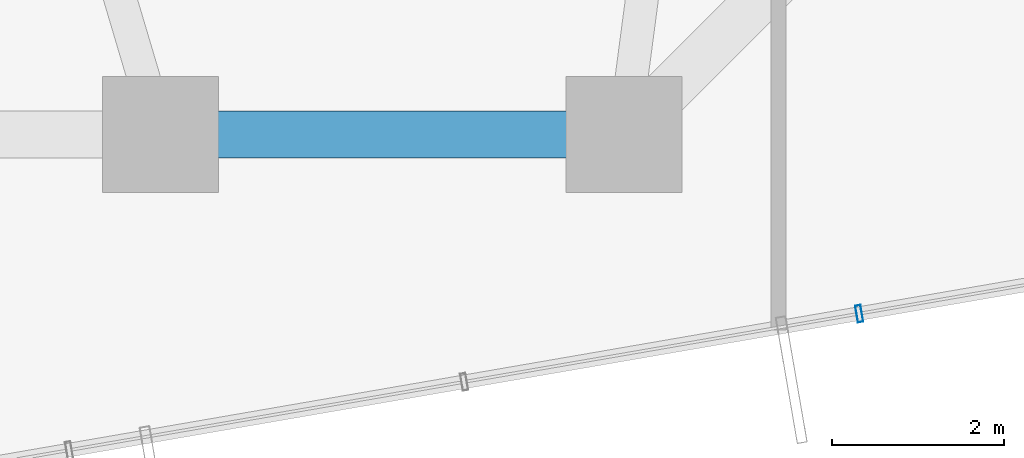
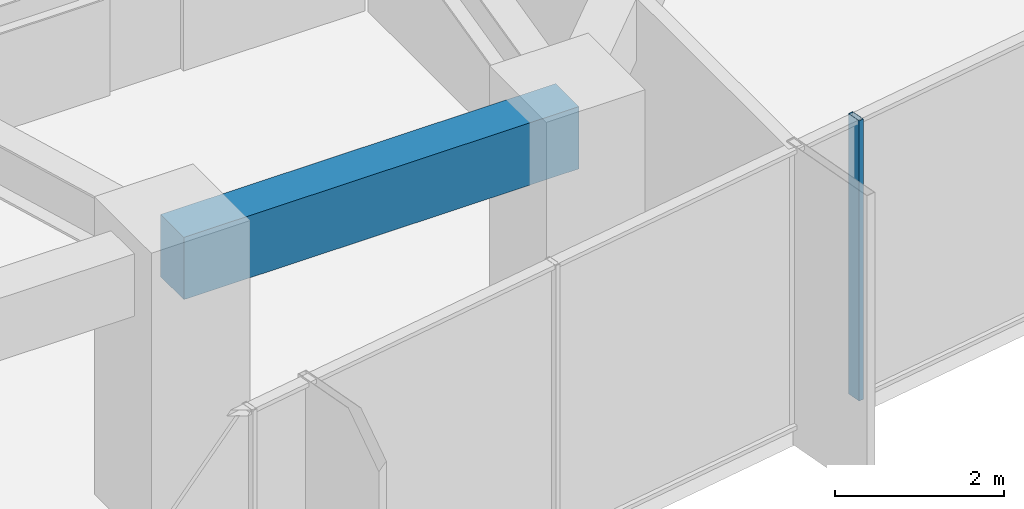
# One storey, part 8 of 35: 1 beam, 1 member, 1 element without a shape of its own.
"""IFC4 building model written with IfcOpenShell, lengths in metres."""

from ifc_helpers import new_model, si_unit, direction, frame, origin, origin_2d, place, context, subcontext, project, spatial, rectangle, hollow_rectangle, extrude, source, transform, mapped, material, layer, layer_set, material_profile, profile_set, type_object, element, aggregate, save


model = new_model("IFC4")

# Units and contexts
model_context = context("Model", 3, precision=1e-05, world=origin(), true_north=direction((0.0, 1.0)))
body_context = subcontext(model_context, "Body", "Model", "MODEL_VIEW")
ifc_project = project(units=[si_unit("LENGTHUNIT", "METRE"), si_unit("AREAUNIT", "SQUARE_METRE"), si_unit("VOLUMEUNIT", "CUBIC_METRE"), si_unit("PLANEANGLEUNIT", "RADIAN"), si_unit("MASSUNIT", "GRAM", prefix="KILO")], contexts=[model_context])

# Site, building, storey
site_placement = place(None, origin())
site = spatial("IfcSite", under=ifc_project, at=site_placement, CompositionType="ELEMENT")
building_placement = place(site_placement, origin())
building = spatial("IfcBuilding", under=site, at=building_placement, Name="Veraguas Prism Commons", CompositionType="ELEMENT")
storey_placement = place(building_placement, frame((0.0, 0.0, 56.550048828125)))
storey = spatial("IfcBuildingStorey", under=building, at=storey_placement, Name="L15", CompositionType="ELEMENT", Elevation=56.550048828125)

# Beam
ifc_material_1 = material(Name="Concrete C50/60", Category="concrete")
ifc_material_profile_1 = material_profile(ifc_material_1, rectangle(XDim=0.550048828125, YDim=0.89990234375, at=origin_2d()), Name="RC550X900")
ifc_profile_set_1 = profile_set([ifc_material_profile_1], Name="Concrete C50/60")
beam_type = type_object("IfcBeamType", Name="Perimeter Spandrel Lower RC 550x900", PredefinedType="SPANDREL", material=ifc_profile_set_1)
beam_placement = place(storey_placement, frame((24.0, 6.39990234375, 3.599853515625), z_axis=(1.0, 0.0, 0.0), x_axis=(0.0, 1.0, 0.0)))
element("IfcBeam", 1, at=beam_placement, inside=storey, type_object=beam_type, Name="Perimeter Spandrel Beam L15-SP11", PredefinedType="SPANDREL", context=body_context, shape_type="SweptSolid", body=[
    extrude(rectangle(XDim=0.550048828125, YDim=0.89990234375, at=origin_2d()), origin(), (0.0, 0.0, 1.0), 5.39990234375),
])

# Curtain wall, member
ifc_material_2 = material(Name="Anodised aluminium EN AW-6063 T6", Category="aluminium")
ifc_layer = layer(ifc_material_2, 0.199951171875, Name="Sky Lobby and Pool Acoustic Curtain Wall", Category="aluminium")
ifc_layer_set = layer_set([ifc_layer], Name="Anodised aluminium EN AW-6063 T6")
curtain_wall_type = type_object("IfcCurtainWallType", Name="Sky Lobby and Pool Acoustic Curtain Wall", PredefinedType="NOTDEFINED", material=ifc_layer_set)
curtain_wall_placement = place(storey_placement, origin())
curtain_wall = element("IfcCurtainWall", 2, at=curtain_wall_placement, inside=storey, type_object=curtain_wall_type, Name="Tower Facade Curtain Wall L15-F5", PredefinedType="NOTDEFINED")
ifc_material_profile_2 = material_profile(ifc_material_2, hollow_rectangle(XDim=0.06494140625, YDim=0.199951171875, WallThickness=0.00390625, at=origin_2d()), Name="AL65X200X4")
ifc_profile_set_2 = profile_set([ifc_material_profile_2], Name="Anodised aluminium EN AW-6063 T6")
member_type = type_object("IfcMemberType", Name="Curtain Wall Mullion Heavy AL 65x200x4", PredefinedType="MULLION", material=ifc_profile_set_2)
shared_shape = source(origin(), body_context, "Body", "SweptSolid", [
    extrude(hollow_rectangle(XDim=0.06494140625, YDim=0.199951171875, WallThickness=0.00390625, at=origin_2d()), origin(), (0.0, 0.0, 1.0), 4.050048828125),
])
member_placement = place(storey_placement, frame((32.140625, 4.313720703125, 0.0), z_axis=(0.0, 0.0, 1.0), x_axis=(0.985407898483, 0.170209499166, 0.0)))
member = element("IfcMember", 3, at=member_placement, type_object=member_type, Name="CW-SKY Mullion 4", PredefinedType="MULLION", context=body_context, shape_type="MappedRepresentation", body=[
    mapped(shared_shape, transform((0.0, 0.0, 0.0), scale=1.0)),
])
aggregate(curtain_wall, [member])

save(model, "model.ifc")
